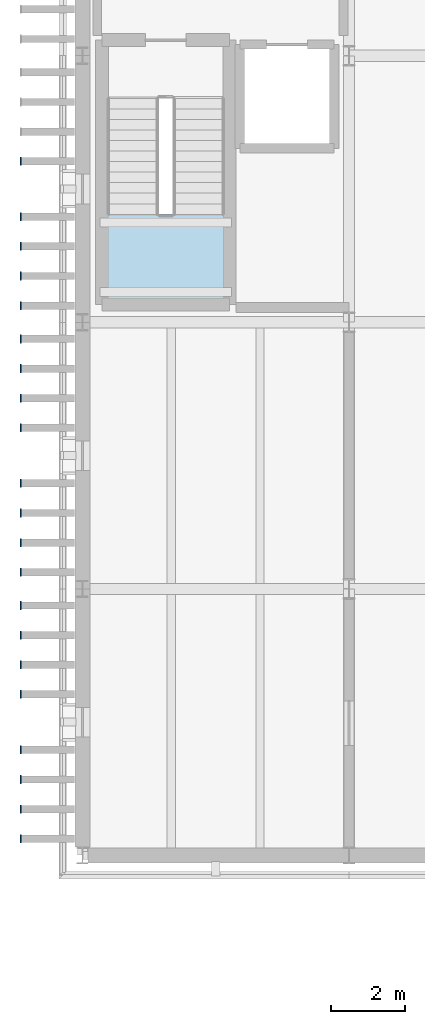
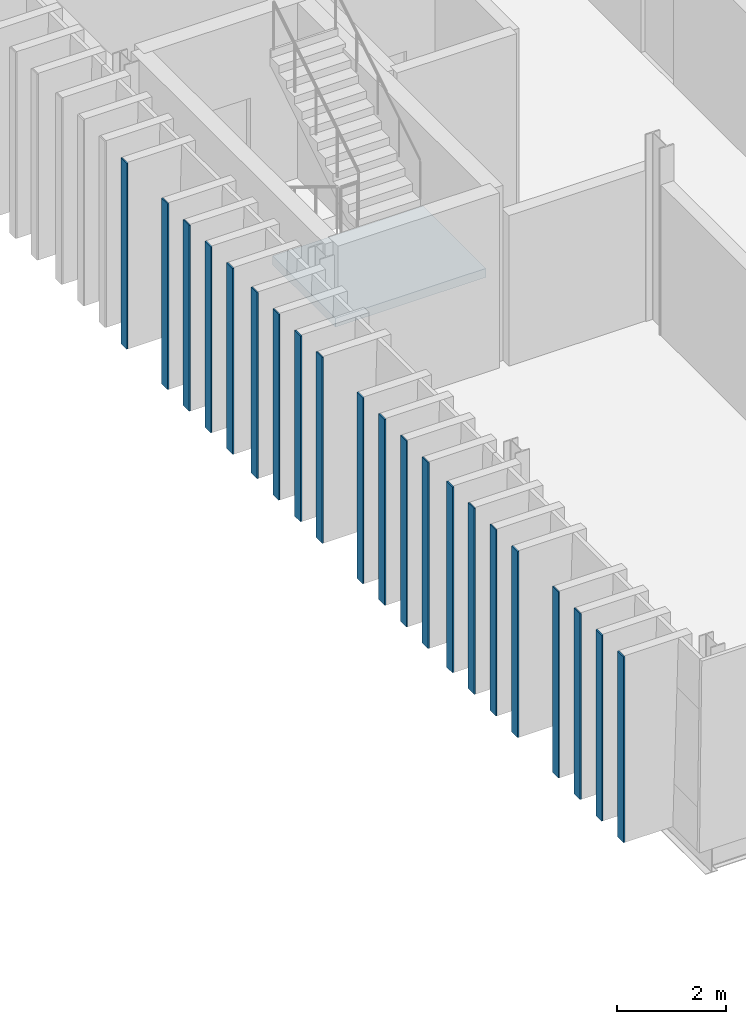
# One storey, part 37 of 91: 21 plates, 1 slab, 1 element without a shape of its own.
"""IFC4 building model written with IfcOpenShell, lengths in metres."""

from ifc_helpers import new_model, si_unit, direction, frame, origin, origin_2d, place, context, subcontext, project, spatial, polyline, rectangle, outline, extrude, material, layer, layer_set, type_object, element, aggregate, save


model = new_model("IFC4")

# Units and contexts
model_context = context("Model", 3, precision=1e-05, world=origin(), true_north=direction((0.0, 1.0)))
body_context = subcontext(model_context, "Body", "Model", "MODEL_VIEW")
ifc_project = project(units=[si_unit("LENGTHUNIT", "METRE"), si_unit("AREAUNIT", "SQUARE_METRE"), si_unit("VOLUMEUNIT", "CUBIC_METRE"), si_unit("PLANEANGLEUNIT", "RADIAN"), si_unit("MASSUNIT", "GRAM", prefix="KILO")], contexts=[model_context])

# Site, building, storey
site_placement = place(None, origin())
site = spatial("IfcSite", under=ifc_project, at=site_placement, CompositionType="ELEMENT")
building_placement = place(site_placement, origin())
building = spatial("IfcBuilding", under=site, at=building_placement, Name="Narikvali Park Central Library", CompositionType="ELEMENT")
storey_placement = place(building_placement, frame((0.0, 0.0, 14.39990234375)))
storey = spatial("IfcBuildingStorey", under=building, at=storey_placement, Name="L03", CompositionType="ELEMENT", Elevation=14.39990234375)

# Stair, slab
ifc_material_1 = material(Name="Concrete C35/45", Category="concrete")
stair_type = type_object("IfcStairType", Name="Core Enclosed Two-Flight Exit Stair", PredefinedType="HALF_TURN_STAIR", material=ifc_material_1)
stair_placement = place(storey_placement, origin())
stair = element("IfcStair", 1, at=stair_placement, inside=storey, type_object=stair_type, Name="L03 Exit Stair ST-09", PredefinedType="HALF_TURN_STAIR")
ifc_layer_1 = layer(ifc_material_1, 0.199951171875, Name="Concrete C35/45")
ifc_layer_set_1 = layer_set([ifc_layer_1], Name="Concrete C35/45")
slab_type = type_object("IfcSlabType", Name="Stair Half-Landing Concrete Slab 200", PredefinedType="LANDING", material=ifc_layer_set_1)
slab_placement = place(storey_placement, frame((0.0, 0.0, 1.900146484375)))
slab = element("IfcSlab", 2, at=slab_placement, type_object=slab_type, Name="ST-09 landing 1", PredefinedType="LANDING", context=body_context, shape_type="SweptSolid", body=[
    extrude(outline(polyline([(0.64990234375, 46.114990234375), (0.64990234375, 43.800048828125), (3.85009765625, 43.800048828125), (3.85009765625, 46.114990234375), (0.64990234375, 46.114990234375)])), origin(), (0.0, 0.0, 1.0), 0.199951171875),
])
aggregate(stair, [slab])

# Plates
ifc_material_2 = material(Name="Anodised Bronze Aluminium", Category="aluminium")
ifc_layer_2 = layer(ifc_material_2, 0.028076171875, Name="Anodised Bronze Aluminium")
ifc_layer_set_2 = layer_set([ifc_layer_2], Name="Anodised Bronze Aluminium")
plate_type = type_object("IfcPlateType", Name="Vertical Brick Fin Bronze Bullnose Cap 28", PredefinedType="SHEET", material=ifc_layer_set_2)
for number, where, z_axis, x_axis, name in (
    (3, (-1.672119140625, 29.25, 0.01025390625), (0.0, 0.0, 1.0), (1.0, 0.0, 0.0), "West Stacks Fin Bullnose Trim 004"),
    (4, (-1.672119140625, 30.050048828125, 0.01025390625), (0.0, 0.0, 1.0), (1.0, 0.0, 0.0), "West Stacks Fin Bullnose Trim 008"),
    (5, (-1.672119140625, 30.85009765625, 0.01025390625), (0.0, 0.0, 1.0), (1.0, 0.0, 0.0), "West Stacks Fin Bullnose Trim 012"),
    (6, (-1.672119140625, 31.64990234375, 0.01025390625), (0.0, 0.0, 1.0), (1.0, 0.0, 0.0), "West Stacks Fin Bullnose Trim 016"),
    (7, (-1.672119140625, 33.14990234375, 0.01025390625), (0.0, 0.0, 1.0), (1.0, 0.0, 0.0), "West Stacks Fin Bullnose Trim 020"),
    (8, (-1.672119140625, 33.949951171875, 0.01025390625), (0.0, 0.0, 1.0), (1.0, 0.0, 0.0), "West Stacks Fin Bullnose Trim 024"),
    (9, (-1.672119140625, 34.75, 0.01025390625), (0.0, 0.0, 1.0), (1.0, 0.0, 0.0), "West Stacks Fin Bullnose Trim 028"),
    (10, (-1.672119140625, 35.550048828125, 0.01025390625), (0.0, 0.0, 1.0), (1.0, 0.0, 0.0), "West Stacks Fin Bullnose Trim 032"),
    (11, (-1.672119140625, 36.449951171875, 0.01025390625), (0.0, 0.0, 1.0), (1.0, 0.0, 0.0), "West Stacks Fin Bullnose Trim 036"),
    (12, (-1.672119140625, 37.25, 0.01025390625), (0.0, 0.0, 1.0), (1.0, 0.0, 0.0), "West Stacks Fin Bullnose Trim 041"),
    (13, (-1.672119140625, 38.050048828125, 0.01025390625), (0.0, 0.0, 1.0), (1.0, 0.0, 0.0), "West Stacks Fin Bullnose Trim 046"),
    (14, (-1.672119140625, 38.85009765625, 0.01025390625), (0.0, 0.0, 1.0), (1.0, 0.0, 0.0), "West Stacks Fin Bullnose Trim 051"),
    (15, (-1.672119140625, 40.35009765625, 0.01025390625), (0.0, 0.0, 1.0), (1.0, 0.0, 0.0), "West Stacks Fin Bullnose Trim 056"),
    (16, (-1.672119140625, 41.14990234375, 0.01025390625), (0.0, 0.0, 1.0), (1.0, 0.0, 0.0), "West Stacks Fin Bullnose Trim 061"),
    (17, (-1.672119140625, 41.949951171875, 0.01025390625), (0.0, 0.0, 1.0), (1.0, 0.0, 0.0), "West Stacks Fin Bullnose Trim 066"),
    (18, (-1.672119140625, 42.75, 0.01025390625), (0.0, 0.0, 1.0), (1.0, 0.0, 0.0), "West Stacks Fin Bullnose Trim 071"),
    (19, (-1.672119140625, 43.64990234375, 0.01025390625), (0.0, 0.0, 1.0), (1.0, 0.0, 0.0), "West Stacks Fin Bullnose Trim 076"),
    (20, (-1.672119140625, 44.449951171875, 0.01025390625), (0.0, 0.0, 1.0), (1.0, 0.0, 0.0), "West Stacks Fin Bullnose Trim 082"),
    (21, (-1.672119140625, 45.25, 0.01025390625), (0.0, 0.0, 1.0), (1.0, 0.0, 0.0), "West Stacks Fin Bullnose Trim 088"),
    (22, (-1.672119140625, 46.050048828125, 0.01025390625), (0.0, 0.0, 1.0), (1.0, 0.0, 0.0), "West Stacks Fin Bullnose Trim 094"),
    (23, (-1.672119140625, 47.550048828125, 0.01025390625), (0.0, 0.0, 1.0), (1.0, 0.0, 0.0), "West Stacks Fin Bullnose Trim 100"),
):
    element("IfcPlate", number, at=place(storey_placement, frame(where, z_axis=z_axis, x_axis=x_axis)), inside=storey, type_object=plate_type, Name=name, PredefinedType="SHEET", context=body_context, shape_type="SweptSolid", body=[
        extrude(rectangle(XDim=0.028076171875, YDim=0.219970703125, at=origin_2d()), origin(), (0.0, 0.0, 1.0), 4.179931640625),
    ])

save(model, "model.ifc")
